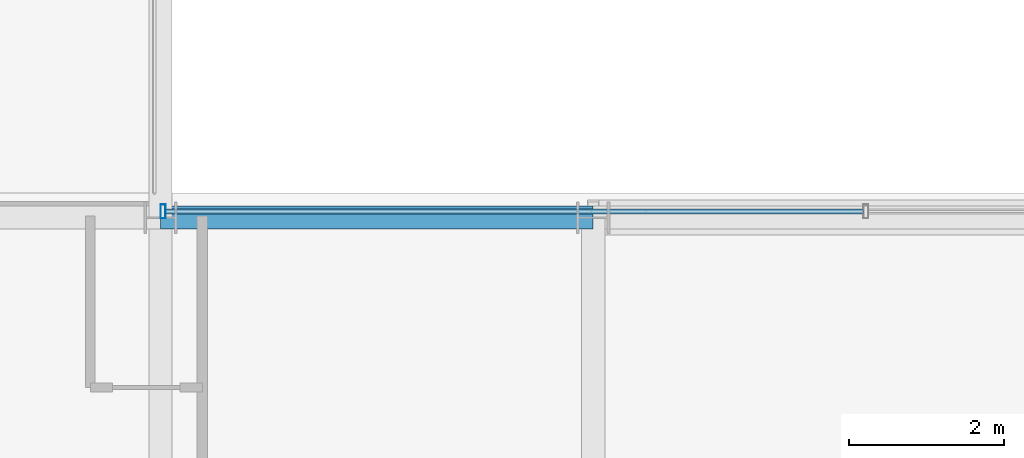
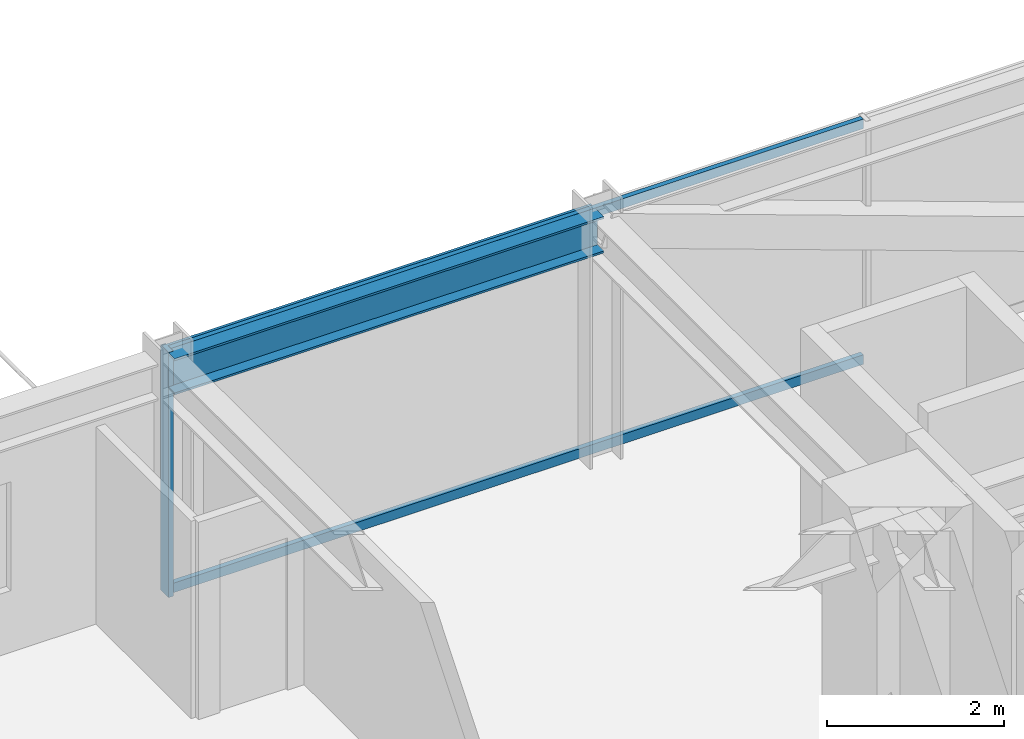
# One storey, part 21 of 41: 3 members, 1 beam, 1 element without a shape of its own.
"""IFC4 building model written with IfcOpenShell, lengths in metres."""

from ifc_helpers import new_model, si_unit, direction, frame, origin, origin_2d, place, context, subcontext, project, spatial, hollow_rectangle, i_section, extrude, source, transform, mapped, material, material_profile, profile_set, type_object, element, aggregate, save


model = new_model("IFC4")

# Units and contexts
model_context = context("Model", 3, precision=1e-05, world=origin(), true_north=direction((0.0, 1.0)))
body_context = subcontext(model_context, "Body", "Model", "MODEL_VIEW")
ifc_project = project(units=[si_unit("LENGTHUNIT", "METRE"), si_unit("AREAUNIT", "SQUARE_METRE"), si_unit("VOLUMEUNIT", "CUBIC_METRE"), si_unit("PLANEANGLEUNIT", "RADIAN"), si_unit("MASSUNIT", "GRAM", prefix="KILO")], contexts=[model_context])

# Site, building, storey
site_placement = place(None, origin())
site = spatial("IfcSite", under=ifc_project, at=site_placement, CompositionType="ELEMENT")
building_placement = place(site_placement, origin())
building = spatial("IfcBuilding", under=site, at=building_placement, Name="Nahalor Promenade Grand Hotel", CompositionType="ELEMENT")
storey_placement = place(building_placement, frame((0.0, 0.0, 113.85009765625)))
storey = spatial("IfcBuildingStorey", under=building, at=storey_placement, Name="L28", CompositionType="ELEMENT", Elevation=113.85009765625)

# Beam
ifc_material_1 = material(Name="Steel S355JR", Category="steel")
ifc_material_profile_1 = material_profile(ifc_material_1, i_section(OverallWidth=0.3, OverallDepth=0.5, WebThickness=0.0145, FlangeThickness=0.028, at=origin_2d()), Name="HEB 500")
ifc_profile_set_1 = profile_set([ifc_material_profile_1], Name="Steel S355JR")
beam_type = type_object("IfcBeamType", Name="Beam-Spandrel-HEB500", PredefinedType="SPANDREL", material=ifc_profile_set_1)
shared_shape_1 = source(origin(), body_context, "Body", "SweptSolid", [
    extrude(i_section(OverallWidth=0.3, OverallDepth=0.5, WebThickness=0.0145, FlangeThickness=0.028, at=origin_2d()), origin(), (0.0, 0.0, 1.0), 5.599853515625),
])
beam_placement = place(storey_placement, frame((2.800048828125, 23.780029296875, 3.1298828125), z_axis=(1.0, 0.0, 0.0), x_axis=(0.0, 1.0, 0.0)))
element("IfcBeam", 1, at=beam_placement, inside=storey, type_object=beam_type, Name="BM-L28-SP-N-3", PredefinedType="SPANDREL", context=body_context, shape_type="MappedRepresentation", body=[
    mapped(shared_shape_1, transform((0.0, 0.0, 0.0), scale=1.0)),
])

# Curtain wall, members
ifc_material_2 = material(Name="Anodised Bronze Aluminium EN AW-6063 T6", Category="aluminium")
curtain_wall_type = type_object("IfcCurtainWallType", Name="CW2 Typical Hotel Flush Bronze Unitised Curtain Wall", PredefinedType="USERDEFINED", material=ifc_material_2)
curtain_wall_placement = place(storey_placement, origin())
curtain_wall = element("IfcCurtainWall", 2, at=curtain_wall_placement, inside=storey, type_object=curtain_wall_type, Name="L28 Curtain Wall CW-L28-N-3", ObjectType="UNITISED_CURTAIN_WALL", PredefinedType="USERDEFINED")
ifc_material_profile_2 = material_profile(ifc_material_2, hollow_rectangle(XDim=0.065, YDim=0.18, WallThickness=0.004, at=origin_2d()), Name="CWM 65x180x4")
ifc_profile_set_2 = profile_set([ifc_material_profile_2], Name="Anodised Bronze Aluminium EN AW-6063 T6")
member_type_1 = type_object("IfcMemberType", Name="CWM2 Typical Bronze Mullion 65x180", PredefinedType="MULLION", material=ifc_profile_set_2)
shared_shape_2 = source(origin(), body_context, "Body", "SweptSolid", [
    extrude(hollow_rectangle(XDim=0.065, YDim=0.18, WallThickness=0.004, at=origin_2d()), origin(), (0.0, 0.0, 1.0), 3.3798828125),
])
member_1_placement = place(storey_placement, frame((2.83251953125, 23.860107421875, 0.0), z_axis=(0.0, 0.0, 1.0), x_axis=(1.0, 0.0, 0.0)))
member_1 = element("IfcMember", 3, at=member_1_placement, type_object=member_type_1, Name="CW-L28-N-3 Mullion 0", PredefinedType="MULLION", context=body_context, shape_type="MappedRepresentation", body=[
    mapped(shared_shape_2, transform((0.0, 0.0, 0.0), scale=1.0)),
])
ifc_material_profile_3 = material_profile(ifc_material_2, hollow_rectangle(XDim=0.065, YDim=0.13, WallThickness=0.004, at=origin_2d()), Name="CWT 65x130x4")
ifc_profile_set_3 = profile_set([ifc_material_profile_3], Name="Anodised Bronze Aluminium EN AW-6063 T6")
member_type_2 = type_object("IfcMemberType", Name="CWT2 Typical Bronze Transom 65x130", PredefinedType="USERDEFINED", material=ifc_profile_set_3)
shared_shape_3 = source(origin(), body_context, "Body", "SweptSolid", [
    extrude(hollow_rectangle(XDim=0.065, YDim=0.13, WallThickness=0.004, at=origin_2d()), origin(), (0.0, 0.0, 1.0), 9.032470703125),
])
member_2_placement = place(storey_placement, frame((2.864990234375, 23.860107421875, 0.06494140625), z_axis=(1.0, 0.0, 0.0), x_axis=(0.0, 1.0, 0.0)))
member_2 = element("IfcMember", 4, at=member_2_placement, type_object=member_type_2, Name="CW-L28-N-3 Transom 0-0", ObjectType="TRANSOM", PredefinedType="USERDEFINED", context=body_context, shape_type="MappedRepresentation", body=[
    mapped(shared_shape_3, transform((0.0, 0.0, 0.0), scale=1.0)),
])
member_3_placement = place(storey_placement, frame((2.864990234375, 23.860107421875, 3.31494140625), z_axis=(1.0, 0.0, 0.0), x_axis=(0.0, 1.0, 0.0)))
member_3 = element("IfcMember", 5, at=member_3_placement, type_object=member_type_2, Name="CW-L28-N-3 Transom 0-1", ObjectType="TRANSOM", PredefinedType="USERDEFINED", context=body_context, shape_type="MappedRepresentation", body=[
    mapped(shared_shape_3, transform((0.0, 0.0, 0.0), scale=1.0)),
])
aggregate(curtain_wall, [member_1, member_2, member_3])

save(model, "model.ifc")
